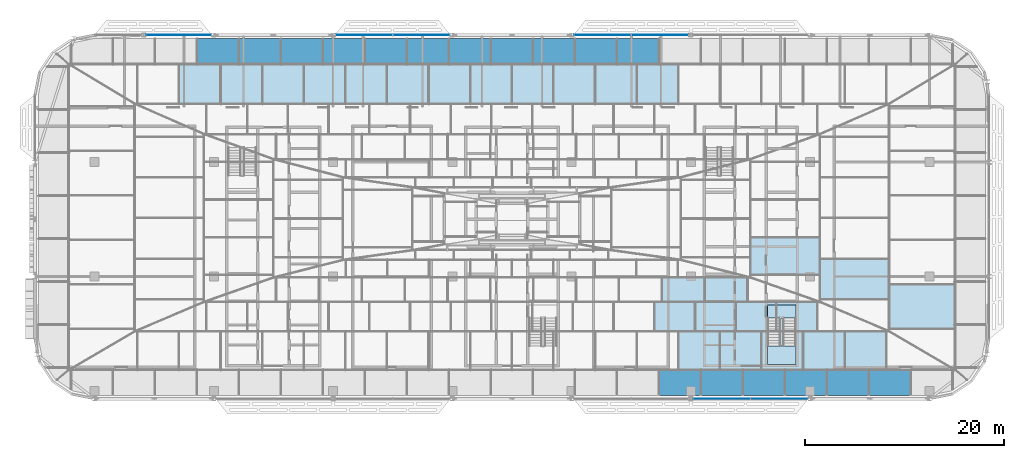
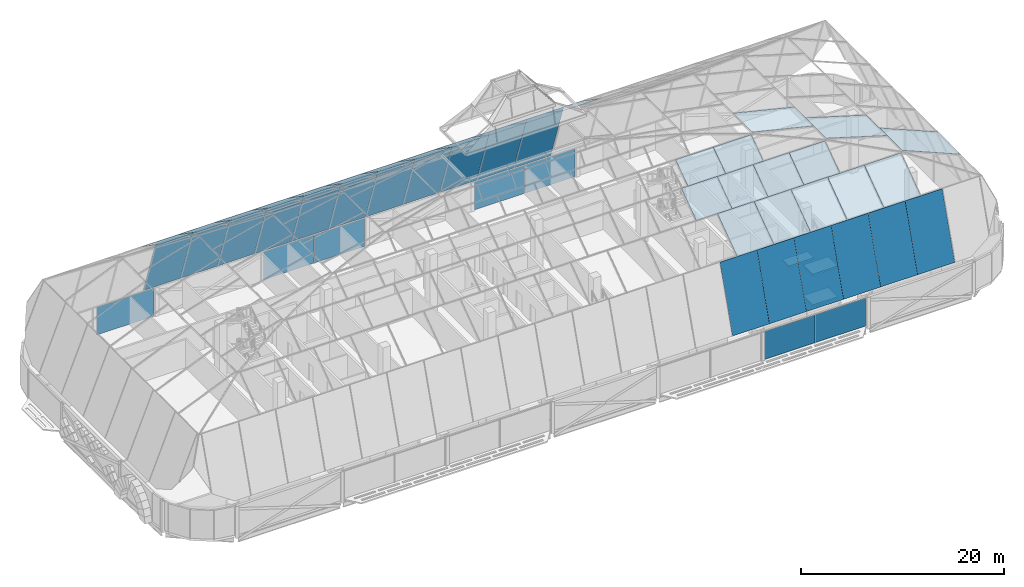
# One storey, part 22 of 39: 50 plates, 3 slabs, 14 elements without a shape of their own.
"""IFC4 building model written with IfcOpenShell, lengths in metres."""

from ifc_helpers import new_model, si_unit, direction, frame, origin, origin_2d, place, context, subcontext, project, spatial, polyline, rectangle, outline, extrude, material, layer, layer_set, type_object, element, aggregate, save


model = new_model("IFC4")

# Units and contexts
model_context = context("Model", 3, precision=1e-05, world=origin(), true_north=direction((0.0, 1.0)))
body_context = subcontext(model_context, "Body", "Model", "MODEL_VIEW")
ifc_project = project(units=[si_unit("LENGTHUNIT", "METRE"), si_unit("AREAUNIT", "SQUARE_METRE"), si_unit("VOLUMEUNIT", "CUBIC_METRE"), si_unit("PLANEANGLEUNIT", "RADIAN"), si_unit("MASSUNIT", "GRAM", prefix="KILO")], contexts=[model_context])

# Site, building, storey
site_placement = place(None, origin())
site = spatial("IfcSite", under=ifc_project, at=site_placement, CompositionType="ELEMENT")
building_placement = place(site_placement, origin())
building = spatial("IfcBuilding", under=site, at=building_placement, Name="Mahtab Terrace Research Tower", CompositionType="ELEMENT")
storey_placement = place(building_placement, frame((0.0, 0.0, 282.300048828125)))
storey = spatial("IfcBuildingStorey", under=building, at=storey_placement, Name="L69", CompositionType="ELEMENT", Elevation=282.300048828125)

# Curtain wall, plates
ifc_material_1 = material(Name="Crown faceted glass roof")
curtain_wall_type_1 = type_object("IfcCurtainWallType", Name="Crown faceted glass roof", PredefinedType="NOTDEFINED", material=ifc_material_1)
curtain_wall_1_placement = place(storey_placement, origin())
curtain_wall_1 = element("IfcCurtainWall", 1, at=curtain_wall_1_placement, inside=storey, type_object=curtain_wall_type_1, Name="CROWN.S0", PredefinedType="NOTDEFINED")
ifc_material_2 = material(Name="Dark glazing", Category="glass")
ifc_layer_1 = layer(ifc_material_2, 0.030029296875)
ifc_layer_set_1 = layer_set([ifc_layer_1], Name="Crown faceted glass roof glazing panel")
plate_type_1 = type_object("IfcPlateType", Name="Crown faceted glass roof glazing panel", PredefinedType="CURTAIN_PANEL", material=ifc_layer_set_1)
plate_1_placement = place(storey_placement, frame((19.00634765625, -11.95703125, 3.800048828125), z_axis=(0.0, -0.948206714392, 0.317653941865), x_axis=(0.0, 0.317653941865, 0.948206714392)))
plate_1 = element("IfcPlate", 2, at=plate_1_placement, type_object=plate_type_1, Name="CWC-S1 panel 16", PredefinedType="CURTAIN_PANEL", context=body_context, shape_type="SweptSolid", body=[
    extrude(outline(polyline([(0.0, 0.0), (7.804102450906159, 0.0), (7.804102450906159, 4.2236328125), (0.0, 4.2236328125), (0.0, 0.0)])), origin(), (0.0, 0.0, -1.0), 0.030029296875),
])
plate_2_placement = place(storey_placement, frame((23.22998046875, -11.95703125, 3.800048828125), z_axis=(0.0, -0.948206714392, 0.317653941865), x_axis=(0.0, 0.317653941865, 0.948206714392)))
plate_2 = element("IfcPlate", 3, at=plate_2_placement, type_object=plate_type_1, Name="CWC-S1 panel 17", PredefinedType="CURTAIN_PANEL", context=body_context, shape_type="SweptSolid", body=[
    extrude(outline(polyline([(0.0, 0.0), (7.804102450906159, 0.0), (7.804102450906159, 4.2236328125), (0.0, 4.2236328125), (0.0, 0.0)])), origin(), (0.0, 0.0, -1.0), 0.030029296875),
])
plate_3_placement = place(storey_placement, frame((27.45361328125, -11.95703125, 3.800048828125), z_axis=(0.0, -0.948206714392, 0.317653941865), x_axis=(0.0, 0.317653941865, 0.948206714392)))
plate_3 = element("IfcPlate", 4, at=plate_3_placement, type_object=plate_type_1, Name="CWC-S1 panel 18", PredefinedType="CURTAIN_PANEL", context=body_context, shape_type="SweptSolid", body=[
    extrude(outline(polyline([(0.0, 0.0), (7.804102450906159, 0.0), (7.804102450906159, 4.2236328125), (0.0, 4.2236328125), (0.0, 0.0)])), origin(), (0.0, 0.0, -1.0), 0.030029296875),
])
plate_4_placement = place(storey_placement, frame((31.67724609375, -11.95703125, 3.800048828125), z_axis=(0.0, -0.948206714392, 0.317653941865), x_axis=(0.0, 0.317653941865, 0.948206714392)))
plate_4 = element("IfcPlate", 5, at=plate_4_placement, type_object=plate_type_1, Name="CWC-S1 panel 19", PredefinedType="CURTAIN_PANEL", context=body_context, shape_type="SweptSolid", body=[
    extrude(outline(polyline([(0.0, 0.0), (7.804102450906159, 0.0), (7.804102450906159, 4.2236328125), (0.0, 4.2236328125), (0.0, 0.0)])), origin(), (0.0, 0.0, -1.0), 0.030029296875),
])
plate_5_placement = place(storey_placement, frame((35.90087890625, -11.95703125, 3.800048828125), z_axis=(0.0, -0.948206714392, 0.317653941865), x_axis=(0.0, 0.317653941865, 0.948206714392)))
plate_5 = element("IfcPlate", 6, at=plate_5_placement, type_object=plate_type_1, Name="CWC-S1 panel 20", PredefinedType="CURTAIN_PANEL", context=body_context, shape_type="SweptSolid", body=[
    extrude(outline(polyline([(0.0, 0.0), (7.804102450906159, 0.0), (7.804102450906159, 4.2236328125), (0.0, 4.2236328125), (0.0, 0.0)])), origin(), (0.0, 0.0, -1.0), 0.030029296875),
])
plate_6_placement = place(storey_placement, frame((40.12451171875, -11.95703125, 3.800048828125), z_axis=(0.0, -0.948206714392, 0.317653941865), x_axis=(0.0, 0.317653941865, 0.948206714392)))
plate_6 = element("IfcPlate", 7, at=plate_6_placement, type_object=plate_type_1, Name="CWC-S1 panel 21", PredefinedType="CURTAIN_PANEL", context=body_context, shape_type="SweptSolid", body=[
    extrude(outline(polyline([(0.0, 0.0), (7.804102450906159, 0.0), (7.804102450906159, 4.2236328125), (0.0, 4.2236328125), (0.0, 0.0)])), origin(), (0.0, 0.0, -1.0), 0.030029296875),
])
aggregate(curtain_wall_1, [plate_1, plate_2, plate_3, plate_4, plate_5, plate_6])

curtain_wall_2_placement = place(storey_placement, origin())
curtain_wall_2 = element("IfcCurtainWall", 8, at=curtain_wall_2_placement, inside=storey, type_object=curtain_wall_type_1, Name="CROWN.S1", PredefinedType="NOTDEFINED")
plate_7_placement = place(storey_placement, frame((20.931640625, -9.47802734375, 11.199951171875), z_axis=(0.0, -0.581900322077, 0.813260115318), x_axis=(0.0, 0.813260115318, 0.581900322077)))
plate_7 = element("IfcPlate", 9, at=plate_7_placement, type_object=plate_type_1, Name="CWC-S2 panel 15", PredefinedType="CURTAIN_PANEL", context=body_context, shape_type="SweptSolid", body=[
    extrude(outline(polyline([(0.0, 0.0), (4.811904585529726, 0.0), (4.811904585529726, 4.186279296875), (0.0, 4.186279296875), (0.0, 0.0)])), origin(), (0.0, 0.0, -1.0), 0.030029296875),
])
plate_8_placement = place(storey_placement, frame((25.117919921875, -9.47802734375, 11.199951171875), z_axis=(0.0, -0.581900322077, 0.813260115318), x_axis=(0.0, 0.813260115318, 0.581900322077)))
plate_8 = element("IfcPlate", 10, at=plate_8_placement, type_object=plate_type_1, Name="CWC-S2 panel 16", PredefinedType="CURTAIN_PANEL", context=body_context, shape_type="SweptSolid", body=[
    extrude(outline(polyline([(0.0, 0.0), (4.811904585529726, 0.0), (4.811904585529726, 4.186279296875), (0.0, 4.186279296875), (0.0, 0.0)])), origin(), (0.0, 0.0, -1.0), 0.030029296875),
])
plate_9_placement = place(storey_placement, frame((29.304443359375, -9.47802734375, 11.199951171875), z_axis=(0.0, -0.581900322077, 0.813260115318), x_axis=(0.0, 0.813260115318, 0.581900322077)))
plate_9 = element("IfcPlate", 11, at=plate_9_placement, type_object=plate_type_1, Name="CWC-S2 panel 17", PredefinedType="CURTAIN_PANEL", context=body_context, shape_type="SweptSolid", body=[
    extrude(outline(polyline([(0.0, 0.0), (4.811904585529726, 0.0), (4.811904585529726, 4.1865234375), (0.0, 4.1865234375), (0.0, 0.0)])), origin(), (0.0, 0.0, -1.0), 0.030029296875),
])
plate_10_placement = place(storey_placement, frame((33.49072265625, -9.47802734375, 11.199951171875), z_axis=(0.0, -0.581900322077, 0.813260115318), x_axis=(0.0, 0.813260115318, 0.581900322077)))
plate_10 = element("IfcPlate", 12, at=plate_10_placement, type_object=plate_type_1, Name="CWC-S2 panel 18", PredefinedType="CURTAIN_PANEL", context=body_context, shape_type="SweptSolid", body=[
    extrude(outline(polyline([(0.0, 0.0), (4.811904585529726, 0.0), (4.811904585529726, 4.186279296875), (0.0, 4.186279296875), (0.0, 0.0)])), origin(), (0.0, 0.0, -1.0), 0.030029296875),
])
plate_11_placement = place(storey_placement, frame((37.677001953125, -9.47802734375, 11.199951171875), z_axis=(0.0, -0.581900322077, 0.813260115318), x_axis=(0.0, 0.813260115318, 0.581900322077)))
plate_11 = element("IfcPlate", 13, at=plate_11_placement, type_object=plate_type_1, Name="CWC-S2 panel 19", PredefinedType="CURTAIN_PANEL", context=body_context, shape_type="SweptSolid", body=[
    extrude(outline(polyline([(0.0, 0.0), (4.811904585529726, 0.0), (4.811904585529726, 4.186279296875), (0.0, 4.186279296875), (0.0, 0.0)])), origin(), (0.0, 0.0, -1.0), 0.030029296875),
])
aggregate(curtain_wall_2, [plate_7, plate_8, plate_9, plate_10, plate_11])

curtain_wall_3_placement = place(storey_placement, origin())
curtain_wall_3 = element("IfcCurtainWall", 14, at=curtain_wall_3_placement, inside=storey, type_object=curtain_wall_type_1, Name="CROWN.S2", PredefinedType="NOTDEFINED")
plate_12_placement = place(storey_placement, frame((18.43212890625, -5.564697265625, 14.0), z_axis=(0.0, -0.578988154945, 0.81533595311), x_axis=(0.0, 0.81533595311, 0.578988154945)))
plate_12 = element("IfcPlate", 15, at=plate_12_placement, type_object=plate_type_1, Name="CWC-S3 panel 13", PredefinedType="CURTAIN_PANEL", context=body_context, shape_type="SweptSolid", body=[
    extrude(outline(polyline([(0.0, 0.0), (3.626764205260556, 0.0), (3.626764205260556, 4.095947265625), (0.0, 4.095947265625), (0.0, 0.0)])), origin(), (0.0, 0.0, -1.0), 0.030029296875),
])
plate_13_placement = place(storey_placement, frame((22.528076171875, -5.564697265625, 14.0), z_axis=(0.0, -0.578988154945, 0.81533595311), x_axis=(0.0, 0.81533595311, 0.578988154945)))
plate_13 = element("IfcPlate", 16, at=plate_13_placement, type_object=plate_type_1, Name="CWC-S3 panel 14", PredefinedType="CURTAIN_PANEL", context=body_context, shape_type="SweptSolid", body=[
    extrude(outline(polyline([(0.0, 0.0), (3.626764205260556, 0.0), (3.626764205260556, 4.095947265625), (0.0, 4.095947265625), (0.0, 0.0)])), origin(), (0.0, 0.0, -1.0), 0.030029296875),
])
plate_14_placement = place(storey_placement, frame((26.6240234375, -5.564697265625, 14.0), z_axis=(0.0, -0.578988154945, 0.81533595311), x_axis=(0.0, 0.81533595311, 0.578988154945)))
plate_14 = element("IfcPlate", 17, at=plate_14_placement, type_object=plate_type_1, Name="CWC-S3 panel 15", PredefinedType="CURTAIN_PANEL", context=body_context, shape_type="SweptSolid", body=[
    extrude(outline(polyline([(0.0, 0.0), (3.626764205260556, 0.0), (3.626764205260556, 4.095947265625), (0.0, 4.095947265625), (0.0, 0.0)])), origin(), (0.0, 0.0, -1.0), 0.030029296875),
])
plate_15_placement = place(storey_placement, frame((30.72021484375, -5.564697265625, 14.0), z_axis=(0.0, -0.578988154945, 0.81533595311), x_axis=(0.0, 0.81533595311, 0.578988154945)))
plate_15 = element("IfcPlate", 18, at=plate_15_placement, type_object=plate_type_1, Name="CWC-S3 panel 16", PredefinedType="CURTAIN_PANEL", context=body_context, shape_type="SweptSolid", body=[
    extrude(outline(polyline([(0.0, 0.0), (3.6267642052605558, 0.0), (3.6267642052605558, 4.09619140625), (0.0, 4.09619140625), (0.0, 0.0)])), origin(), (0.0, 0.0, -1.0), 0.030029296875),
])
aggregate(curtain_wall_3, [plate_12, plate_13, plate_14, plate_15])

curtain_wall_4_placement = place(storey_placement, origin())
curtain_wall_4 = element("IfcCurtainWall", 19, at=curtain_wall_4_placement, inside=storey, type_object=curtain_wall_type_1, Name="CROWN.S3", PredefinedType="NOTDEFINED")
plate_16_placement = place(storey_placement, frame((19.40380859375, -2.607666015625, 16.099853515625), z_axis=(0.0, -0.568373610544, 0.822770587003), x_axis=(0.0, 0.822770587003, 0.568373610544)))
plate_16 = element("IfcPlate", 20, at=plate_16_placement, type_object=plate_type_1, Name="CWC-S4 panel 11", PredefinedType="CURTAIN_PANEL", context=body_context, shape_type="SweptSolid", body=[
    extrude(outline(polyline([(0.0, 0.0), (2.991334011573522, 0.0), (2.991334011573522, 4.312011718750001), (0.0, 4.312011718750001), (0.0, 0.0)])), origin(), (0.0, 0.0, -1.0), 0.030029296875),
])
plate_17_placement = place(storey_placement, frame((23.715576171875, -2.607666015625, 16.099853515625), z_axis=(0.0, -0.568373610544, 0.822770587003), x_axis=(0.0, 0.822770587003, 0.568373610544)))
plate_17 = element("IfcPlate", 21, at=plate_17_placement, type_object=plate_type_1, Name="CWC-S4 panel 12", PredefinedType="CURTAIN_PANEL", context=body_context, shape_type="SweptSolid", body=[
    extrude(outline(polyline([(0.0, 0.0), (2.991334011573522, 0.0), (2.991334011573522, 4.311767578125), (0.0, 4.311767578125), (0.0, 0.0)])), origin(), (0.0, 0.0, -1.0), 0.030029296875),
])
aggregate(curtain_wall_4, [plate_16, plate_17])

# Curtain wall, plate
curtain_wall_5_placement = place(storey_placement, origin())
curtain_wall_5 = element("IfcCurtainWall", 22, at=curtain_wall_5_placement, inside=storey, type_object=curtain_wall_type_1, Name="CROWN.E1", PredefinedType="NOTDEFINED")
plate_18_placement = place(storey_placement, frame((44.64794921875, -5.264892578125, 11.199951171875), z_axis=(0.387029381179, 0.0, 0.922067382627), x_axis=(0.0, 1.0, 0.0)))
plate_18 = element("IfcPlate", 23, at=plate_18_placement, type_object=plate_type_1, Name="CWC-E2 panel 2", PredefinedType="CURTAIN_PANEL", context=body_context, shape_type="SweptSolid", body=[
    extrude(outline(polyline([(0.0, 0.0), (4.469970703125, 0.0), (4.469970703125, 7.2347190272549025), (0.0, 7.2347190272549025), (0.0, 0.0)])), origin(), (0.0, 0.0, -1.0), 0.030029296875),
])
aggregate(curtain_wall_5, [plate_18])

curtain_wall_6_placement = place(storey_placement, origin())
curtain_wall_6 = element("IfcCurtainWall", 24, at=curtain_wall_6_placement, inside=storey, type_object=curtain_wall_type_1, Name="CROWN.E2", PredefinedType="NOTDEFINED")
plate_19_placement = place(storey_placement, frame((37.97705078125, -2.3076171875, 14.0), z_axis=(0.288965667694, 0.0, 0.957339460638), x_axis=(0.0, 1.0, 0.0)))
plate_19 = element("IfcPlate", 25, at=plate_19_placement, type_object=plate_type_1, Name="CWC-E3 panel 2", PredefinedType="CURTAIN_PANEL", context=body_context, shape_type="SweptSolid", body=[
    extrude(outline(polyline([(0.0, 0.0), (4.087646484375, 0.0), (4.087646484375, 7.266792392262823), (0.0, 7.266792392262823), (0.0, 0.0)])), origin(), (0.0, 0.0, -1.0), 0.030029296875),
])
aggregate(curtain_wall_6, [plate_19])

curtain_wall_7_placement = place(storey_placement, origin())
curtain_wall_7 = element("IfcCurtainWall", 26, at=curtain_wall_7_placement, inside=storey, type_object=curtain_wall_type_1, Name="CROWN.E3", PredefinedType="NOTDEFINED")
plate_20_placement = place(storey_placement, frame((31.020263671875, 0.153564453125, 16.099853515625), z_axis=(0.235875329175, 0.0, 0.971783324145), x_axis=(0.0, 1.0, 0.0)))
plate_20 = element("IfcPlate", 27, at=plate_20_placement, type_object=plate_type_1, Name="CWC-E4 panel 2", PredefinedType="CURTAIN_PANEL", context=body_context, shape_type="SweptSolid", body=[
    extrude(outline(polyline([(0.0, 0.0), (3.786376953125, 0.0), (3.786376953125, 7.208025181988041), (0.0, 7.208025181988041), (0.0, 0.0)])), origin(), (0.0, 0.0, -1.0), 0.030029296875),
])
aggregate(curtain_wall_7, [plate_20])

# Curtain wall, plates
curtain_wall_8_placement = place(storey_placement, origin())
curtain_wall_8 = element("IfcCurtainWall", 28, at=curtain_wall_8_placement, inside=storey, type_object=curtain_wall_type_1, Name="CROWN.N0", PredefinedType="NOTDEFINED")
plate_21_placement = place(storey_placement, frame((-27.45361328125, 21.407958984375, 11.199951171875), z_axis=(0.0, 0.945476028817, 0.325691693067), x_axis=(0.0, 0.325691693067, -0.945476028817)))
plate_21 = element("IfcPlate", 29, at=plate_21_placement, type_object=plate_type_1, Name="CWC-N1 panel 5", PredefinedType="CURTAIN_PANEL", context=body_context, shape_type="SweptSolid", body=[
    extrude(outline(polyline([(0.0, 0.0), (7.826641943542283, 0.0), (7.826641943542283, 4.2236328125), (0.0, 4.2236328125), (0.0, 0.0)])), origin(), (0.0, 0.0, -1.0), 0.030029296875),
])
plate_22_placement = place(storey_placement, frame((-23.22998046875, 21.407958984375, 11.199951171875), z_axis=(0.0, 0.945476028817, 0.325691693067), x_axis=(0.0, 0.325691693067, -0.945476028817)))
plate_22 = element("IfcPlate", 30, at=plate_22_placement, type_object=plate_type_1, Name="CWC-N1 panel 6", PredefinedType="CURTAIN_PANEL", context=body_context, shape_type="SweptSolid", body=[
    extrude(outline(polyline([(0.0, 0.0), (7.826641943542283, 0.0), (7.826641943542283, 4.2236328125), (0.0, 4.2236328125), (0.0, 0.0)])), origin(), (0.0, 0.0, -1.0), 0.030029296875),
])
plate_23_placement = place(storey_placement, frame((-19.00634765625, 21.407958984375, 11.199951171875), z_axis=(0.0, 0.945476028817, 0.325691693067), x_axis=(0.0, 0.325691693067, -0.945476028817)))
plate_23 = element("IfcPlate", 31, at=plate_23_placement, type_object=plate_type_1, Name="CWC-N1 panel 7", PredefinedType="CURTAIN_PANEL", context=body_context, shape_type="SweptSolid", body=[
    extrude(outline(polyline([(0.0, 0.0), (7.826641943542283, 0.0), (7.826641943542283, 4.2236328125), (0.0, 4.2236328125), (0.0, 0.0)])), origin(), (0.0, 0.0, -1.0), 0.030029296875),
])
plate_24_placement = place(storey_placement, frame((-14.78271484375, 21.407958984375, 11.199951171875), z_axis=(0.0, 0.945476028817, 0.325691693067), x_axis=(0.0, 0.325691693067, -0.945476028817)))
plate_24 = element("IfcPlate", 32, at=plate_24_placement, type_object=plate_type_1, Name="CWC-N1 panel 8", PredefinedType="CURTAIN_PANEL", context=body_context, shape_type="SweptSolid", body=[
    extrude(outline(polyline([(0.0, 0.0), (7.826641943542283, 0.0), (7.826641943542283, 4.2236328125), (0.0, 4.2236328125), (0.0, 0.0)])), origin(), (0.0, 0.0, -1.0), 0.030029296875),
])
plate_25_placement = place(storey_placement, frame((-10.55908203125, 21.407958984375, 11.199951171875), z_axis=(0.0, 0.945476028817, 0.325691693067), x_axis=(0.0, 0.325691693067, -0.945476028817)))
plate_25 = element("IfcPlate", 33, at=plate_25_placement, type_object=plate_type_1, Name="CWC-N1 panel 9", PredefinedType="CURTAIN_PANEL", context=body_context, shape_type="SweptSolid", body=[
    extrude(outline(polyline([(0.0, 0.0), (7.826641943542283, 0.0), (7.826641943542283, 4.2236328125), (0.0, 4.2236328125), (0.0, 0.0)])), origin(), (0.0, 0.0, -1.0), 0.030029296875),
])
plate_26_placement = place(storey_placement, frame((-6.33544921875, 21.407958984375, 11.199951171875), z_axis=(0.0, 0.945476028817, 0.325691693067), x_axis=(0.0, 0.325691693067, -0.945476028817)))
plate_26 = element("IfcPlate", 34, at=plate_26_placement, type_object=plate_type_1, Name="CWC-N1 panel 10", PredefinedType="CURTAIN_PANEL", context=body_context, shape_type="SweptSolid", body=[
    extrude(outline(polyline([(0.0, 0.0), (7.826641943542283, 0.0), (7.826641943542283, 4.2236328125), (0.0, 4.2236328125), (0.0, 0.0)])), origin(), (0.0, 0.0, -1.0), 0.030029296875),
])
plate_27_placement = place(storey_placement, frame((-2.11181640625, 21.407958984375, 11.199951171875), z_axis=(0.0, 0.945476028817, 0.325691693067), x_axis=(0.0, 0.325691693067, -0.945476028817)))
plate_27 = element("IfcPlate", 35, at=plate_27_placement, type_object=plate_type_1, Name="CWC-N1 panel 11", PredefinedType="CURTAIN_PANEL", context=body_context, shape_type="SweptSolid", body=[
    extrude(outline(polyline([(0.0, 0.0), (7.826641943542283, 0.0), (7.826641943542283, 4.2236328125), (0.0, 4.2236328125), (0.0, 0.0)])), origin(), (0.0, 0.0, -1.0), 0.030029296875),
])
plate_28_placement = place(storey_placement, frame((2.11181640625, 21.407958984375, 11.199951171875), z_axis=(0.0, 0.945476028817, 0.325691693067), x_axis=(0.0, 0.325691693067, -0.945476028817)))
plate_28 = element("IfcPlate", 36, at=plate_28_placement, type_object=plate_type_1, Name="CWC-N1 panel 12", PredefinedType="CURTAIN_PANEL", context=body_context, shape_type="SweptSolid", body=[
    extrude(outline(polyline([(0.0, 0.0), (7.826641943542283, 0.0), (7.826641943542283, 4.2236328125), (0.0, 4.2236328125), (0.0, 0.0)])), origin(), (0.0, 0.0, -1.0), 0.030029296875),
])
plate_29_placement = place(storey_placement, frame((6.33544921875, 21.407958984375, 11.199951171875), z_axis=(0.0, 0.945476028817, 0.325691693067), x_axis=(0.0, 0.325691693067, -0.945476028817)))
plate_29 = element("IfcPlate", 37, at=plate_29_placement, type_object=plate_type_1, Name="CWC-N1 panel 13", PredefinedType="CURTAIN_PANEL", context=body_context, shape_type="SweptSolid", body=[
    extrude(outline(polyline([(0.0, 0.0), (7.826641943542283, 0.0), (7.826641943542283, 4.2236328125), (0.0, 4.2236328125), (0.0, 0.0)])), origin(), (0.0, 0.0, -1.0), 0.030029296875),
])
plate_30_placement = place(storey_placement, frame((10.55908203125, 21.407958984375, 11.199951171875), z_axis=(0.0, 0.945476028817, 0.325691693067), x_axis=(0.0, 0.325691693067, -0.945476028817)))
plate_30 = element("IfcPlate", 38, at=plate_30_placement, type_object=plate_type_1, Name="CWC-N1 panel 14", PredefinedType="CURTAIN_PANEL", context=body_context, shape_type="SweptSolid", body=[
    extrude(outline(polyline([(0.0, 0.0), (7.826641943542283, 0.0), (7.826641943542283, 4.2236328125), (0.0, 4.2236328125), (0.0, 0.0)])), origin(), (0.0, 0.0, -1.0), 0.030029296875),
])
plate_31_placement = place(storey_placement, frame((14.78271484375, 21.407958984375, 11.199951171875), z_axis=(0.0, 0.945476028817, 0.325691693067), x_axis=(0.0, 0.325691693067, -0.945476028817)))
plate_31 = element("IfcPlate", 39, at=plate_31_placement, type_object=plate_type_1, Name="CWC-N1 panel 15", PredefinedType="CURTAIN_PANEL", context=body_context, shape_type="SweptSolid", body=[
    extrude(outline(polyline([(0.0, 0.0), (7.826641943542283, 0.0), (7.826641943542283, 4.2236328125), (0.0, 4.2236328125), (0.0, 0.0)])), origin(), (0.0, 0.0, -1.0), 0.030029296875),
])
aggregate(curtain_wall_8, [plate_21, plate_22, plate_23, plate_24, plate_25, plate_26, plate_27, plate_28, plate_29, plate_30, plate_31])

curtain_wall_9_placement = place(storey_placement, origin())
curtain_wall_9 = element("IfcCurtainWall", 40, at=curtain_wall_9_placement, inside=storey, type_object=curtain_wall_type_1, Name="CROWN.N1", PredefinedType="NOTDEFINED")
plate_32_placement = place(storey_placement, frame((-29.304443359375, 17.38427734375, 14.0), z_axis=(0.0, 0.571197269128, 0.820812816506), x_axis=(0.0, 0.820812816506, -0.571197269128)))
plate_32 = element("IfcPlate", 41, at=plate_32_placement, type_object=plate_type_1, Name="CWC-N2 panel 3", PredefinedType="CURTAIN_PANEL", context=body_context, shape_type="SweptSolid", body=[
    extrude(outline(polyline([(0.0, 0.0), (4.902069704215443, 0.0), (4.902069704215443, 4.186279296875001), (0.0, 4.186279296875001), (0.0, 0.0)])), origin(), (0.0, 0.0, -1.0), 0.030029296875),
])
plate_33_placement = place(storey_placement, frame((-25.117919921875, 17.38427734375, 14.0), z_axis=(0.0, 0.571197269128, 0.820812816506), x_axis=(0.0, 0.820812816506, -0.571197269128)))
plate_33 = element("IfcPlate", 42, at=plate_33_placement, type_object=plate_type_1, Name="CWC-N2 panel 4", PredefinedType="CURTAIN_PANEL", context=body_context, shape_type="SweptSolid", body=[
    extrude(outline(polyline([(0.0, 0.0), (4.902069704215443, 0.0), (4.902069704215443, 4.186523437500001), (0.0, 4.186523437500001), (0.0, 0.0)])), origin(), (0.0, 0.0, -1.0), 0.030029296875),
])
plate_34_placement = place(storey_placement, frame((-20.931640625, 17.38427734375, 14.0), z_axis=(0.0, 0.571197269128, 0.820812816506), x_axis=(0.0, 0.820812816506, -0.571197269128)))
plate_34 = element("IfcPlate", 43, at=plate_34_placement, type_object=plate_type_1, Name="CWC-N2 panel 5", PredefinedType="CURTAIN_PANEL", context=body_context, shape_type="SweptSolid", body=[
    extrude(outline(polyline([(0.0, 0.0), (4.902069704215443, 0.0), (4.902069704215443, 4.186279296875001), (0.0, 4.186279296875001), (0.0, 0.0)])), origin(), (0.0, 0.0, -1.0), 0.030029296875),
])
plate_35_placement = place(storey_placement, frame((-16.745361328125, 17.38427734375, 14.0), z_axis=(0.0, 0.571197269128, 0.820812816506), x_axis=(0.0, 0.820812816506, -0.571197269128)))
plate_35 = element("IfcPlate", 44, at=plate_35_placement, type_object=plate_type_1, Name="CWC-N2 panel 6", PredefinedType="CURTAIN_PANEL", context=body_context, shape_type="SweptSolid", body=[
    extrude(outline(polyline([(0.0, 0.0), (4.902069704215443, 0.0), (4.902069704215443, 4.186279296875001), (0.0, 4.186279296875001), (0.0, 0.0)])), origin(), (0.0, 0.0, -1.0), 0.030029296875),
])
plate_36_placement = place(storey_placement, frame((-12.55908203125, 17.38427734375, 14.0), z_axis=(0.0, 0.571197269128, 0.820812816506), x_axis=(0.0, 0.820812816506, -0.571197269128)))
plate_36 = element("IfcPlate", 45, at=plate_36_placement, type_object=plate_type_1, Name="CWC-N2 panel 7", PredefinedType="CURTAIN_PANEL", context=body_context, shape_type="SweptSolid", body=[
    extrude(outline(polyline([(0.0, 0.0), (4.902069704215443, 0.0), (4.902069704215443, 4.186279296875001), (0.0, 4.186279296875001), (0.0, 0.0)])), origin(), (0.0, 0.0, -1.0), 0.030029296875),
])
plate_37_placement = place(storey_placement, frame((-8.372802734375, 17.38427734375, 14.0), z_axis=(0.0, 0.571197269128, 0.820812816506), x_axis=(0.0, 0.820812816506, -0.571197269128)))
plate_37 = element("IfcPlate", 46, at=plate_37_placement, type_object=plate_type_1, Name="CWC-N2 panel 8", PredefinedType="CURTAIN_PANEL", context=body_context, shape_type="SweptSolid", body=[
    extrude(outline(polyline([(0.0, 0.0), (4.902069704215443, 0.0), (4.902069704215443, 4.186279296875001), (0.0, 4.186279296875001), (0.0, 0.0)])), origin(), (0.0, 0.0, -1.0), 0.030029296875),
])
plate_38_placement = place(storey_placement, frame((-4.186279296875, 17.38427734375, 14.0), z_axis=(0.0, 0.571197269128, 0.820812816506), x_axis=(0.0, 0.820812816506, -0.571197269128)))
plate_38 = element("IfcPlate", 47, at=plate_38_placement, type_object=plate_type_1, Name="CWC-N2 panel 9", PredefinedType="CURTAIN_PANEL", context=body_context, shape_type="SweptSolid", body=[
    extrude(outline(polyline([(0.0, 0.0), (4.902069704215443, 0.0), (4.902069704215443, 4.186523437500001), (0.0, 4.186523437500001), (0.0, 0.0)])), origin(), (0.0, 0.0, -1.0), 0.030029296875),
])
plate_39_placement = place(storey_placement, frame((0.0, 17.38427734375, 14.0), z_axis=(0.0, 0.571197269128, 0.820812816506), x_axis=(0.0, 0.820812816506, -0.571197269128)))
plate_39 = element("IfcPlate", 48, at=plate_39_placement, type_object=plate_type_1, Name="CWC-N2 panel 10", PredefinedType="CURTAIN_PANEL", context=body_context, shape_type="SweptSolid", body=[
    extrude(outline(polyline([(0.0, 0.0), (4.902069704215443, 0.0), (4.902069704215443, 4.186279296875001), (0.0, 4.186279296875001), (0.0, 0.0)])), origin(), (0.0, 0.0, -1.0), 0.030029296875),
])
plate_40_placement = place(storey_placement, frame((4.186279296875, 17.38427734375, 14.0), z_axis=(0.0, 0.571197269128, 0.820812816506), x_axis=(0.0, 0.820812816506, -0.571197269128)))
plate_40 = element("IfcPlate", 49, at=plate_40_placement, type_object=plate_type_1, Name="CWC-N2 panel 11", PredefinedType="CURTAIN_PANEL", context=body_context, shape_type="SweptSolid", body=[
    extrude(outline(polyline([(0.0, 0.0), (4.902069704215443, 0.0), (4.902069704215443, 4.186279296875001), (0.0, 4.186279296875001), (0.0, 0.0)])), origin(), (0.0, 0.0, -1.0), 0.030029296875),
])
plate_41_placement = place(storey_placement, frame((8.372802734375, 17.38427734375, 14.0), z_axis=(0.0, 0.571197269128, 0.820812816506), x_axis=(0.0, 0.820812816506, -0.571197269128)))
plate_41 = element("IfcPlate", 50, at=plate_41_placement, type_object=plate_type_1, Name="CWC-N2 panel 12", PredefinedType="CURTAIN_PANEL", context=body_context, shape_type="SweptSolid", body=[
    extrude(outline(polyline([(0.0, 0.0), (4.902069704215443, 0.0), (4.902069704215443, 4.186523437500001), (0.0, 4.186523437500001), (0.0, 0.0)])), origin(), (0.0, 0.0, -1.0), 0.030029296875),
])
plate_42_placement = place(storey_placement, frame((12.55908203125, 17.38427734375, 14.0), z_axis=(0.0, 0.571197269128, 0.820812816506), x_axis=(0.0, 0.820812816506, -0.571197269128)))
plate_42 = element("IfcPlate", 51, at=plate_42_placement, type_object=plate_type_1, Name="CWC-N2 panel 13", PredefinedType="CURTAIN_PANEL", context=body_context, shape_type="SweptSolid", body=[
    extrude(outline(polyline([(0.0, 0.0), (4.902069704215443, 0.0), (4.902069704215443, 4.186279296875001), (0.0, 4.186279296875001), (0.0, 0.0)])), origin(), (0.0, 0.0, -1.0), 0.030029296875),
])
plate_43_placement = place(storey_placement, frame((16.745361328125, 17.38427734375, 14.0), z_axis=(0.0, 0.571197269128, 0.820812816506), x_axis=(0.0, 0.820812816506, -0.571197269128)))
plate_43 = element("IfcPlate", 52, at=plate_43_placement, type_object=plate_type_1, Name="CWC-N2 panel 14", PredefinedType="CURTAIN_PANEL", context=body_context, shape_type="SweptSolid", body=[
    extrude(outline(polyline([(0.0, 0.0), (4.902069704215443, 0.0), (4.902069704215443, 4.186279296875001), (0.0, 4.186279296875001), (0.0, 0.0)])), origin(), (0.0, 0.0, -1.0), 0.030029296875),
])
aggregate(curtain_wall_9, [plate_32, plate_33, plate_34, plate_35, plate_36, plate_37, plate_38, plate_39, plate_40, plate_41, plate_42, plate_43])

# Stair, slabs
ifc_material_3 = material(Name="Exit stair half-turn")
stair_type = type_object("IfcStairType", Name="Exit stair half-turn", PredefinedType="HALF_TURN_STAIR", material=ifc_material_3)
stair_placement = place(storey_placement, origin())
stair = element("IfcStair", 53, at=stair_placement, inside=storey, type_object=stair_type, Name="L69 Protected exit stair ST4", PredefinedType="HALF_TURN_STAIR")
ifc_material_4 = material(Name="Concrete C40/50", Category="concrete")
ifc_layer_2 = layer(ifc_material_4, 0.199951171875)
ifc_layer_set_2 = layer_set([ifc_layer_2], Name="Exit stair landing 200")
slab_type = type_object("IfcSlabType", Name="Exit stair landing 200", PredefinedType="LANDING", material=ifc_layer_set_2)
slab_1_placement = place(storey_placement, frame((0.0, 0.0, 1.64990234375)))
slab_1 = element("IfcSlab", 54, at=slab_1_placement, type_object=slab_type, Name="ST4 landing 1", PredefinedType="LANDING", context=body_context, shape_type="SweptSolid", body=[
    extrude(outline(polyline([(25.699951171875, -6.97509765625), (25.699951171875, -8.875), (28.550048828125, -8.875), (28.550048828125, -6.97509765625), (25.699951171875, -6.97509765625)])), origin(), (0.0, 0.0, 1.0), 0.199951171875),
])
slab_2_placement = place(storey_placement, frame((0.0, 0.0, 3.5)))
slab_2 = element("IfcSlab", 55, at=slab_2_placement, type_object=slab_type, Name="ST4 landing 2", PredefinedType="LANDING", context=body_context, shape_type="SweptSolid", body=[
    extrude(outline(polyline([(25.699951171875, -2.875), (25.699951171875, -4.175048828125), (28.550048828125, -4.175048828125), (28.550048828125, -2.875), (25.699951171875, -2.875)])), origin(), (0.0, 0.0, 1.0), 0.199951171875),
])
slab_3_placement = place(storey_placement, frame((0.0, 0.0, 5.349853515625)))
slab_3 = element("IfcSlab", 56, at=slab_3_placement, type_object=slab_type, Name="ST4 landing 3", PredefinedType="LANDING", context=body_context, shape_type="SweptSolid", body=[
    extrude(outline(polyline([(25.699951171875, -6.97509765625), (25.699951171875, -8.875), (28.550048828125, -8.875), (28.550048828125, -6.97509765625), (25.699951171875, -6.97509765625)])), origin(), (0.0, 0.0, 1.0), 0.2001953125),
])
aggregate(stair, [slab_1, slab_2, slab_3])

# Curtain wall, plates
ifc_material_5 = material(Name="Office ribbon curtain wall")
curtain_wall_type_2 = type_object("IfcCurtainWallType", Name="Office ribbon curtain wall", PredefinedType="NOTDEFINED", material=ifc_material_5)
curtain_wall_10_placement = place(storey_placement, origin())
curtain_wall_10 = element("IfcCurtainWall", 57, at=curtain_wall_10_placement, inside=storey, type_object=curtain_wall_type_2, Name="EN.L69.3.5", PredefinedType="NOTDEFINED")
ifc_layer_3 = layer(ifc_material_2, 0.030029296875)
ifc_layer_set_3 = layer_set([ifc_layer_3], Name="Office ribbon curtain wall glazing panel")
plate_type_2 = type_object("IfcPlateType", Name="Office ribbon curtain wall glazing panel", PredefinedType="CURTAIN_PANEL", material=ifc_layer_set_3)
plate_44_placement = place(storey_placement, frame((14.89111328125, 24.306884765625, 0.0), z_axis=(0.0, 0.0, 1.0), x_axis=(-1.0, 0.0, 0.0)))
plate_44 = element("IfcPlate", 58, at=plate_44_placement, type_object=plate_type_2, Name="CWO-8 panel 1", PredefinedType="CURTAIN_PANEL", context=body_context, shape_type="SweptSolid", body=[
    extrude(rectangle(XDim=5.721923828125, YDim=0.030029296875, at=origin_2d()), origin(), (0.0, 0.0, 1.0), 3.360107421875),
])
plate_45_placement = place(storey_placement, frame((9.10888671875, 24.306884765625, 0.0), z_axis=(0.0, 0.0, 1.0), x_axis=(-1.0, 0.0, 0.0)))
plate_45 = element("IfcPlate", 59, at=plate_45_placement, type_object=plate_type_2, Name="CWO-8 panel 2", PredefinedType="CURTAIN_PANEL", context=body_context, shape_type="SweptSolid", body=[
    extrude(rectangle(XDim=5.721923828125, YDim=0.030029296875, at=origin_2d()), origin(), (0.0, 0.0, 1.0), 3.360107421875),
])
aggregate(curtain_wall_10, [plate_44, plate_45])

curtain_wall_11_placement = place(storey_placement, origin())
curtain_wall_11 = element("IfcCurtainWall", 60, at=curtain_wall_11_placement, inside=storey, type_object=curtain_wall_type_2, Name="EN.L69.3.7", PredefinedType="NOTDEFINED")
plate_46_placement = place(storey_placement, frame((-9.10888671875, 24.306884765625, 0.0), z_axis=(0.0, 0.0, 1.0), x_axis=(-1.0, 0.0, 0.0)))
plate_46 = element("IfcPlate", 61, at=plate_46_placement, type_object=plate_type_2, Name="CWO-8 panel 1", PredefinedType="CURTAIN_PANEL", context=body_context, shape_type="SweptSolid", body=[
    extrude(rectangle(XDim=5.721923828125, YDim=0.030029296875, at=origin_2d()), origin(), (0.0, 0.0, 1.0), 3.360107421875),
])
plate_47_placement = place(storey_placement, frame((-14.89111328125, 24.306884765625, 0.0), z_axis=(0.0, 0.0, 1.0), x_axis=(-1.0, 0.0, 0.0)))
plate_47 = element("IfcPlate", 62, at=plate_47_placement, type_object=plate_type_2, Name="CWO-8 panel 2", PredefinedType="CURTAIN_PANEL", context=body_context, shape_type="SweptSolid", body=[
    extrude(rectangle(XDim=5.721923828125, YDim=0.030029296875, at=origin_2d()), origin(), (0.0, 0.0, 1.0), 3.360107421875),
])
aggregate(curtain_wall_11, [plate_46, plate_47])

# Curtain wall, plate
curtain_wall_12_placement = place(storey_placement, origin())
curtain_wall_12 = element("IfcCurtainWall", 63, at=curtain_wall_12_placement, inside=storey, type_object=curtain_wall_type_2, Name="EN.L69.3.9", PredefinedType="NOTDEFINED")
plate_48_placement = place(storey_placement, frame((-33.529052734375, 24.306884765625, 0.0), z_axis=(0.0, 0.0, 1.0), x_axis=(-1.0, 0.0, 0.0)))
plate_48 = element("IfcPlate", 64, at=plate_48_placement, type_object=plate_type_2, Name="CWO-8 panel 1", PredefinedType="CURTAIN_PANEL", context=body_context, shape_type="SweptSolid", body=[
    extrude(rectangle(XDim=6.56201171875, YDim=0.030029296875, at=origin_2d()), origin(), (0.0, 0.0, 1.0), 3.360107421875),
])
aggregate(curtain_wall_12, [plate_48])

# Curtain wall, plates
curtain_wall_13_placement = place(storey_placement, origin())
curtain_wall_13 = element("IfcCurtainWall", 65, at=curtain_wall_13_placement, inside=storey, type_object=curtain_wall_type_2, Name="EN.L69.13.28", PredefinedType="NOTDEFINED")
plate_49_placement = place(storey_placement, frame((21.10888671875, -12.306884765625, 0.0), z_axis=(0.0, 0.0, 1.0), x_axis=(1.0, 0.0, 0.0)))
plate_49 = element("IfcPlate", 66, at=plate_49_placement, type_object=plate_type_2, Name="CWO-8 panel 1", PredefinedType="CURTAIN_PANEL", context=body_context, shape_type="SweptSolid", body=[
    extrude(rectangle(XDim=5.721923828125, YDim=0.030029296875, at=origin_2d()), origin(), (0.0, 0.0, 1.0), 3.360107421875),
])
plate_50_placement = place(storey_placement, frame((26.89111328125, -12.306884765625, 0.0), z_axis=(0.0, 0.0, 1.0), x_axis=(1.0, 0.0, 0.0)))
plate_50 = element("IfcPlate", 67, at=plate_50_placement, type_object=plate_type_2, Name="CWO-8 panel 2", PredefinedType="CURTAIN_PANEL", context=body_context, shape_type="SweptSolid", body=[
    extrude(rectangle(XDim=5.721923828125, YDim=0.030029296875, at=origin_2d()), origin(), (0.0, 0.0, 1.0), 3.360107421875),
])
aggregate(curtain_wall_13, [plate_49, plate_50])

save(model, "model.ifc")
